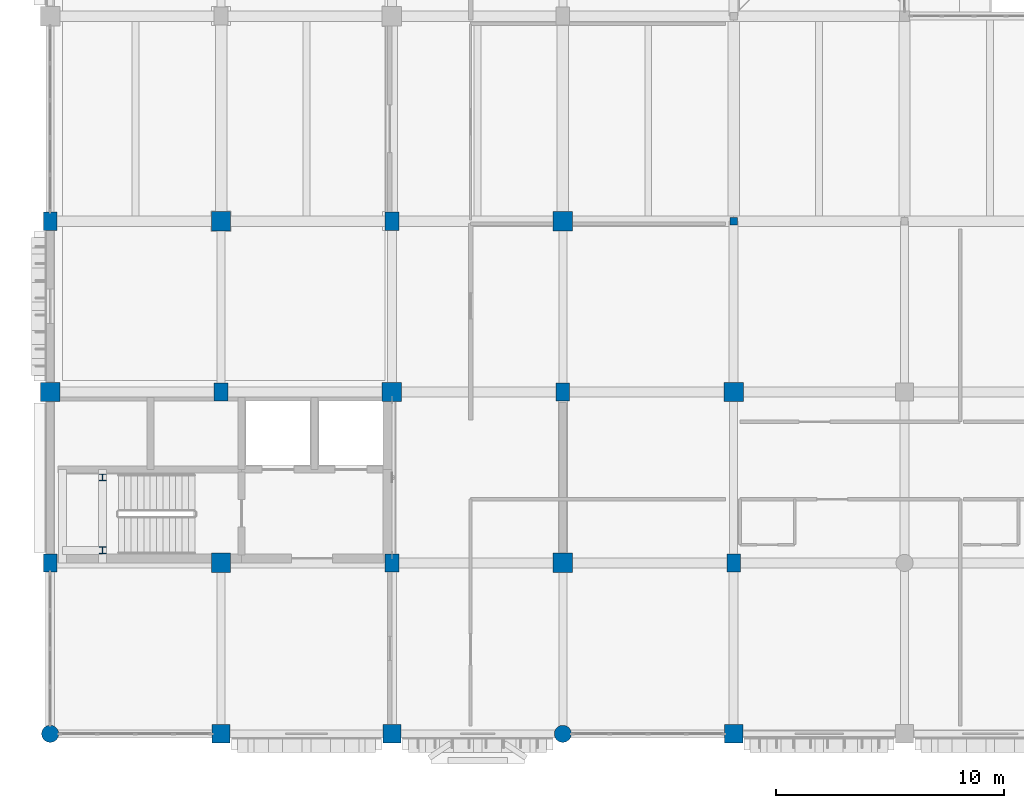
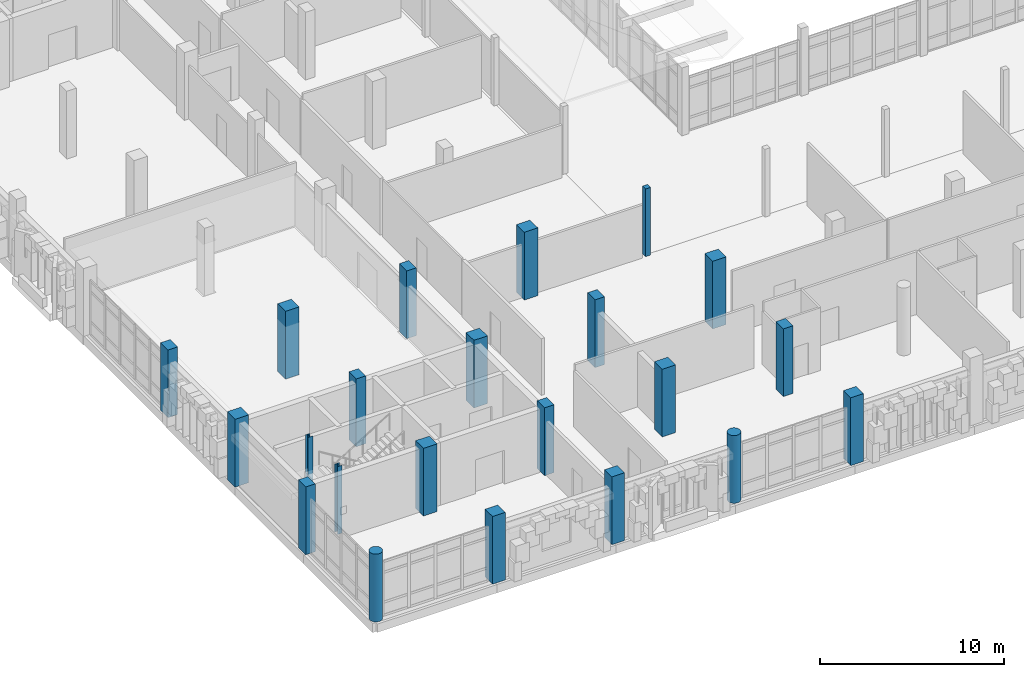
# One storey, part 1 of 128: 22 columns.
"""IFC4 building model written with IfcOpenShell, lengths in metres."""

from ifc_helpers import new_model, si_unit, direction, frame, origin, origin_2d, place, context, subcontext, project, spatial, rectangle, circle, i_section, extrude, material, material_profile, profile_set, type_object, element, save


model = new_model("IFC4")

# Units and contexts
model_context = context("Model", 3, precision=1e-05, world=origin(), true_north=direction((0.0, 1.0)))
body_context = subcontext(model_context, "Body", "Model", "MODEL_VIEW")
ifc_project = project(units=[si_unit("LENGTHUNIT", "METRE"), si_unit("AREAUNIT", "SQUARE_METRE"), si_unit("VOLUMEUNIT", "CUBIC_METRE"), si_unit("PLANEANGLEUNIT", "RADIAN"), si_unit("MASSUNIT", "GRAM", prefix="KILO")], contexts=[model_context])

# Site, building, storey
site_placement = place(None, origin())
site = spatial("IfcSite", under=ifc_project, at=site_placement, CompositionType="ELEMENT")
building_placement = place(site_placement, origin())
building = spatial("IfcBuilding", under=site, at=building_placement, Name="Dalvernix Boulevard General Hospital", CompositionType="ELEMENT")
storey_placement = place(building_placement, frame((0.0, 0.0, 4.800048828125)))
storey = spatial("IfcBuildingStorey", under=building, at=storey_placement, Name="L01", CompositionType="ELEMENT", Elevation=4.800048828125)

# Columns
ifc_material_1 = material(Name="Concrete C40/50", Category="concrete")
ifc_material_profile_1 = material_profile(ifc_material_1, rectangle(XDim=0.85009765625, YDim=0.85009765625, at=origin_2d()), Name="RC 850x850")
ifc_profile_set_1 = profile_set([ifc_material_profile_1], Name="Concrete C40/50")
column_type_1 = type_object("IfcColumnType", Name="COL-C-02-E", PredefinedType="COLUMN", material=ifc_profile_set_1)
column_1_placement = place(storey_placement, frame((0.0, 15.0, 0.0), z_axis=(0.0, 0.0, 1.0), x_axis=(1.0, 0.0, 0.0)))
element("IfcColumn", 1, at=column_1_placement, inside=storey, type_object=column_type_1, Name="L01 column 1C", PredefinedType="COLUMN", context=body_context, shape_type="SweptSolid", body=[
    extrude(rectangle(XDim=0.85009765625, YDim=0.85009765625, at=origin_2d()), origin(), (0.0, 0.0, 1.0), 4.5),
])
ifc_material_profile_2 = material_profile(ifc_material_1, rectangle(XDim=0.85009765625, YDim=0.85009765625, at=origin_2d()), Name="RC 850x850")
ifc_profile_set_2 = profile_set([ifc_material_profile_2], Name="Concrete C40/50")
column_type_2 = type_object("IfcColumnType", Name="COL-C-02-I", PredefinedType="COLUMN", material=ifc_profile_set_2)
for number, where, z_axis, x_axis, name in (
    (2, (7.5, 7.5, 0.0), (0.0, 0.0, 1.0), (1.0, 0.0, 0.0), "L01 column 2B"),
    (3, (7.5, 22.5, 0.0), (0.0, 0.0, 1.0), (1.0, 0.0, 0.0), "L01 column 2D"),
    (4, (15.0, 15.0, 0.0), (0.0, 0.0, 1.0), (1.0, 0.0, 0.0), "L01 column 3C"),
    (5, (22.5, 7.5, 0.0), (0.0, 0.0, 1.0), (1.0, 0.0, 0.0), "L01 column 4B"),
    (6, (22.5, 22.5, 0.0), (0.0, 0.0, 1.0), (1.0, 0.0, 0.0), "L01 column 4D"),
    (7, (30.0, 15.0, 0.0), (0.0, 0.0, 1.0), (1.0, 0.0, 0.0), "L01 column 5C"),
):
    element("IfcColumn", number, at=place(storey_placement, frame(where, z_axis=z_axis, x_axis=x_axis)), inside=storey, type_object=column_type_2, Name=name, PredefinedType="COLUMN", context=body_context, shape_type="SweptSolid", body=[
        extrude(rectangle(XDim=0.85009765625, YDim=0.85009765625, at=origin_2d()), origin(), (0.0, 0.0, 1.0), 4.5),
    ])
ifc_material_profile_3 = material_profile(ifc_material_1, rectangle(XDim=0.800048828125, YDim=0.800048828125, at=origin_2d()), Name="RC 800x800")
ifc_profile_set_3 = profile_set([ifc_material_profile_3], Name="Concrete C40/50")
column_type_3 = type_object("IfcColumnType", Name="COL-C-03-E", PredefinedType="COLUMN", material=ifc_profile_set_3)
for number, where, z_axis, x_axis, name in (
    (8, (7.5, 0.0, 0.0), (0.0, 0.0, 1.0), (1.0, 0.0, 0.0), "L01 column 2A"),
    (9, (15.0, 0.0, 0.0), (0.0, 0.0, 1.0), (1.0, 0.0, 0.0), "L01 column 3A"),
    (10, (30.0, 0.0, 0.0), (0.0, 0.0, 1.0), (1.0, 0.0, 0.0), "L01 column 5A"),
):
    element("IfcColumn", number, at=place(storey_placement, frame(where, z_axis=z_axis, x_axis=x_axis)), inside=storey, type_object=column_type_3, Name=name, PredefinedType="COLUMN", context=body_context, shape_type="SweptSolid", body=[
        extrude(rectangle(XDim=0.800048828125, YDim=0.800048828125, at=origin_2d()), origin(), (0.0, 0.0, 1.0), 4.5),
    ])
ifc_material_profile_4 = material_profile(ifc_material_1, rectangle(XDim=0.60009765625, YDim=0.800048828125, at=origin_2d()), Name="RC 600x800")
ifc_profile_set_4 = profile_set([ifc_material_profile_4], Name="Concrete C40/50")
column_type_4 = type_object("IfcColumnType", Name="COL-C-11-E", PredefinedType="COLUMN", material=ifc_profile_set_4)
for number, where, z_axis, x_axis, name in (
    (11, (0.0, 7.5, 0.0), (0.0, 0.0, 1.0), (1.0, 0.0, 0.0), "L01 column 1B"),
    (12, (0.0, 22.5, 0.0), (0.0, 0.0, 1.0), (1.0, 0.0, 0.0), "L01 column 1D"),
):
    element("IfcColumn", number, at=place(storey_placement, frame(where, z_axis=z_axis, x_axis=x_axis)), inside=storey, type_object=column_type_4, Name=name, PredefinedType="COLUMN", context=body_context, shape_type="SweptSolid", body=[
        extrude(rectangle(XDim=0.60009765625, YDim=0.800048828125, at=origin_2d()), origin(), (0.0, 0.0, 1.0), 4.5),
    ])
ifc_material_profile_5 = material_profile(ifc_material_1, rectangle(XDim=0.60009765625, YDim=0.800048828125, at=origin_2d()), Name="RC 600x800")
ifc_profile_set_5 = profile_set([ifc_material_profile_5], Name="Concrete C40/50")
column_type_5 = type_object("IfcColumnType", Name="COL-C-11-I", PredefinedType="COLUMN", material=ifc_profile_set_5)
for number, where, z_axis, x_axis, name in (
    (13, (7.5, 15.0, 0.0), (0.0, 0.0, 1.0), (1.0, 0.0, 0.0), "L01 column 2C"),
    (14, (15.0, 7.5, 0.0), (0.0, 0.0, 1.0), (1.0, 0.0, 0.0), "L01 column 3B"),
    (15, (15.0, 22.5, 0.0), (0.0, 0.0, 1.0), (1.0, 0.0, 0.0), "L01 column 3D"),
    (16, (22.5, 15.0, 0.0), (0.0, 0.0, 1.0), (1.0, 0.0, 0.0), "L01 column 4C"),
    (17, (30.0, 7.5, 0.0), (0.0, 0.0, 1.0), (1.0, 0.0, 0.0), "L01 column 5B"),
):
    element("IfcColumn", number, at=place(storey_placement, frame(where, z_axis=z_axis, x_axis=x_axis)), inside=storey, type_object=column_type_5, Name=name, PredefinedType="COLUMN", context=body_context, shape_type="SweptSolid", body=[
        extrude(rectangle(XDim=0.60009765625, YDim=0.800048828125, at=origin_2d()), origin(), (0.0, 0.0, 1.0), 4.5),
    ])
ifc_material_profile_6 = material_profile(ifc_material_1, circle(Radius=0.375, at=origin_2d()), Name="RC D750")
ifc_profile_set_6 = profile_set([ifc_material_profile_6], Name="Concrete C40/50")
column_type_6 = type_object("IfcColumnType", Name="COL-C-14-E", PredefinedType="COLUMN", material=ifc_profile_set_6)
for number, where, z_axis, x_axis, name in (
    (18, (0.0, 0.0, 0.0), (0.0, 0.0, 1.0), (1.0, 0.0, 0.0), "L01 column 1A"),
    (19, (22.5, 0.0, 0.0), (0.0, 0.0, 1.0), (1.0, 0.0, 0.0), "L01 column 4A"),
):
    element("IfcColumn", number, at=place(storey_placement, frame(where, z_axis=z_axis, x_axis=x_axis)), inside=storey, type_object=column_type_6, Name=name, PredefinedType="COLUMN", context=body_context, shape_type="SweptSolid", body=[
        extrude(circle(Radius=0.375, at=origin_2d()), origin(), (0.0, 0.0, 1.0), 4.5),
    ])
ifc_material_2 = material(Name="Steel S355", Category="steel")
ifc_material_profile_7 = material_profile(ifc_material_2, i_section(OverallWidth=0.300048828125, OverallDepth=0.300048828125, WebThickness=0.010986328125, FlangeThickness=0.01904296875, FilletRadius=0.027099609375, at=origin_2d()), Name="HEB 300")
ifc_profile_set_7 = profile_set([ifc_material_profile_7], Name="Steel S355")
column_type_7 = type_object("IfcColumnType", Name="COL-C-18", PredefinedType="COLUMN", material=ifc_profile_set_7)
for number, where, z_axis, x_axis, name in (
    (20, (2.300048828125, 8.050048828125, 0.0), (0.0, 0.0, 1.0), (1.0, 0.0, 0.0), "L01 Core C1 stair landing column 1"),
    (21, (2.300048828125, 11.25, 0.0), (0.0, 0.0, 1.0), (1.0, 0.0, 0.0), "L01 Core C1 stair landing column 2"),
):
    element("IfcColumn", number, at=place(storey_placement, frame(where, z_axis=z_axis, x_axis=x_axis)), inside=storey, type_object=column_type_7, Name=name, PredefinedType="COLUMN", context=body_context, shape_type="SweptSolid", body=[
        extrude(i_section(OverallWidth=0.300048828125, OverallDepth=0.300048828125, WebThickness=0.010986328125, FlangeThickness=0.01904296875, FilletRadius=0.027099609375, at=origin_2d()), origin(), (0.0, 0.0, 1.0), 4.5),
    ])
ifc_material_3 = material(Name="Glulam GL28h", Category="wood")
ifc_material_profile_8 = material_profile(ifc_material_3, rectangle(XDim=0.320068359375, YDim=0.320068359375, at=origin_2d()), Name="GL28h 320x320")
ifc_profile_set_8 = profile_set([ifc_material_profile_8], Name="Glulam GL28h")
column_type_8 = type_object("IfcColumnType", Name="COL-C-20-I", PredefinedType="COLUMN", material=ifc_profile_set_8)
column_2_placement = place(storey_placement, frame((30.0, 22.5, 0.0), z_axis=(0.0, 0.0, 1.0), x_axis=(1.0, 0.0, 0.0)))
element("IfcColumn", 22, at=column_2_placement, inside=storey, type_object=column_type_8, Name="L01 column 5D", PredefinedType="COLUMN", context=body_context, shape_type="SweptSolid", body=[
    extrude(rectangle(XDim=0.320068359375, YDim=0.320068359375, at=origin_2d()), origin(), (0.0, 0.0, 1.0), 4.5),
])

save(model, "model.ifc")
